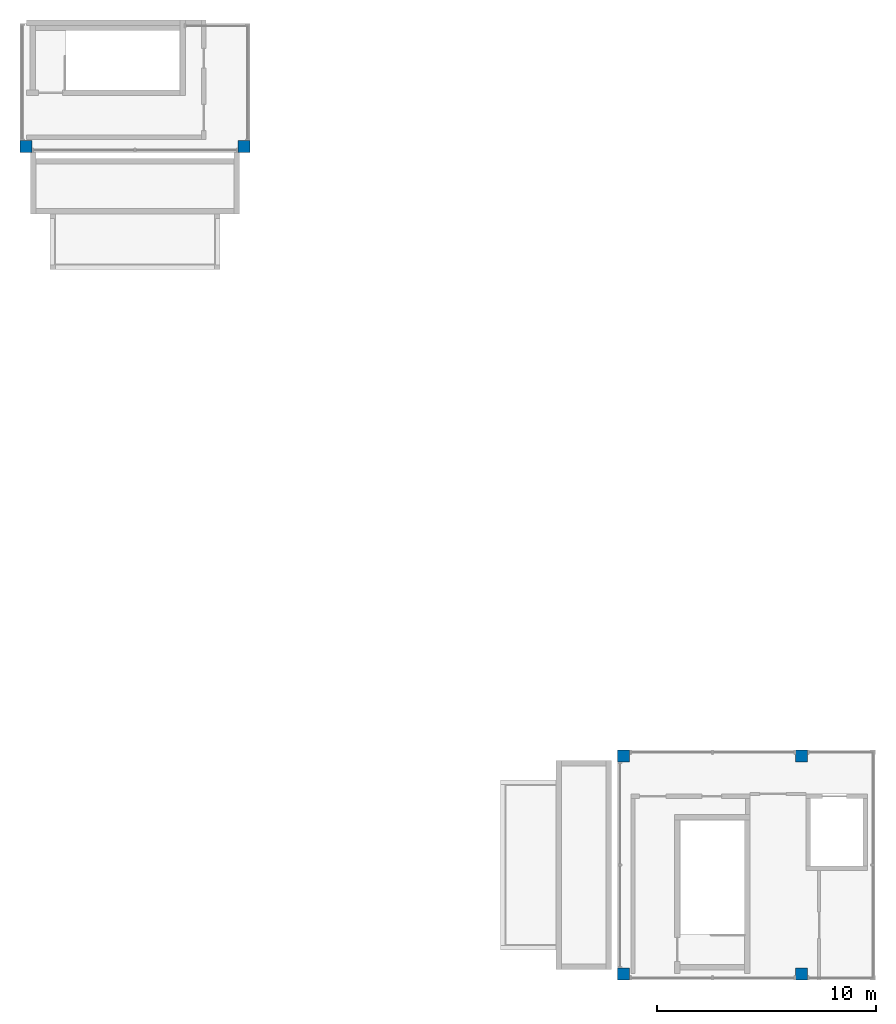
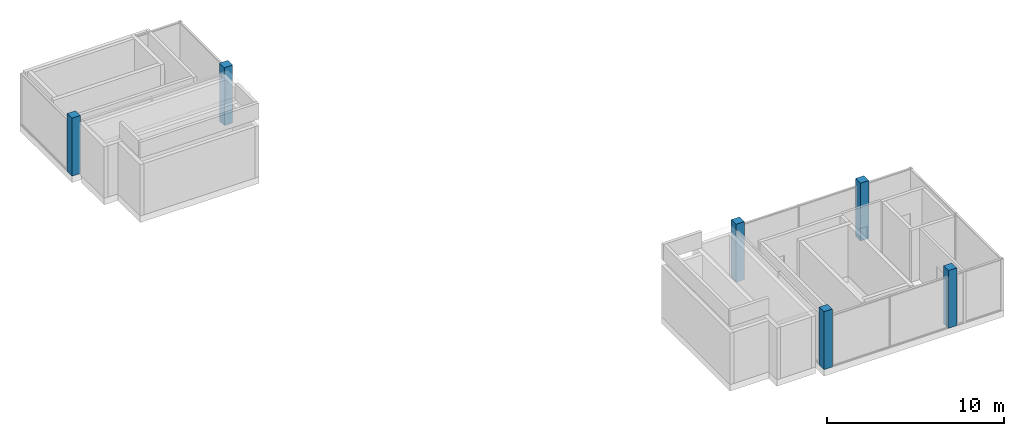
# One storey, part 1 of 6: 6 columns.
"""IFC4 building model written with IfcOpenShell, lengths in metres."""

from ifc_helpers import new_model, si_unit, direction, frame, origin, origin_2d, place, context, subcontext, project, spatial, rectangle, extrude, source, transform, mapped, material, material_profile, profile_set, type_object, element, save


model = new_model("IFC4")

# Units and contexts
model_context = context("Model", 3, precision=1e-05, world=origin(), true_north=direction((0.0, 1.0)))
body_context = subcontext(model_context, "Body", "Model", "MODEL_VIEW")
ifc_project = project(units=[si_unit("LENGTHUNIT", "METRE"), si_unit("AREAUNIT", "SQUARE_METRE"), si_unit("VOLUMEUNIT", "CUBIC_METRE"), si_unit("PLANEANGLEUNIT", "RADIAN"), si_unit("MASSUNIT", "GRAM", prefix="KILO")], contexts=[model_context])

# Site, building, storey
site_placement = place(None, origin())
site = spatial("IfcSite", under=ifc_project, at=site_placement, CompositionType="ELEMENT")
building_placement = place(site_placement, origin())
building = spatial("IfcBuilding", under=site, at=building_placement, Name="Aurelian Terraces", CompositionType="ELEMENT")
storey_placement = place(building_placement, frame((0.0, 0.0, 380.5)))
storey = spatial("IfcBuildingStorey", under=building, at=storey_placement, Name="L91", CompositionType="ELEMENT", Elevation=380.5)

# Columns
ifc_material = material(Name="Concrete fc' 55 MPa", Category="concrete")
ifc_material_profile = material_profile(ifc_material, rectangle(XDim=0.55, YDim=0.55, at=origin_2d()))
ifc_profile_set = profile_set([ifc_material_profile], Name="Concrete fc' 55 MPa")
column_type = type_object("IfcColumnType", Name="RC COLUMN 550X550 FC55", PredefinedType="COLUMN", material=ifc_profile_set)
shared_shape = source(origin(), body_context, "Body", "SweptSolid", [
    extrude(rectangle(XDim=0.55, YDim=0.55, at=origin_2d()), origin(), (0.0, 0.0, 1.0), 4.0),
])
for number, where, z_axis, x_axis, name in (
    (1, (38.075, 0.275, 0.0), (0.0, 0.0, 1.0), (1.0, 0.0, 0.0), "Column 5/A L91"),
    (2, (46.2, 0.275, 0.0), (0.0, 0.0, 1.0), (1.0, 0.0, 0.0), "Column 6/A L91"),
    (3, (38.075, 10.225, 0.0), (0.0, 0.0, 1.0), (1.0, 0.0, 0.0), "Column 5/B L91"),
    (4, (46.2, 10.225, 0.0), (0.0, 0.0, 1.0), (1.0, 0.0, 0.0), "Column 6/B L91"),
    (5, (10.775, 38.075, 0.0), (0.0, 0.0, 1.0), (1.0, 0.0, 0.0), "Column 2/E L91"),
    (6, (20.725, 38.075, 0.0), (0.0, 0.0, 1.0), (1.0, 0.0, 0.0), "Column 3/E L91"),
):
    element("IfcColumn", number, at=place(storey_placement, frame(where, z_axis=z_axis, x_axis=x_axis)), inside=storey, type_object=column_type, Name=name, PredefinedType="COLUMN", context=body_context, shape_type="MappedRepresentation", body=[
        mapped(shared_shape, transform((0.0, 0.0, 0.0), scale=1.0)),
    ])

save(model, "model.ifc")
